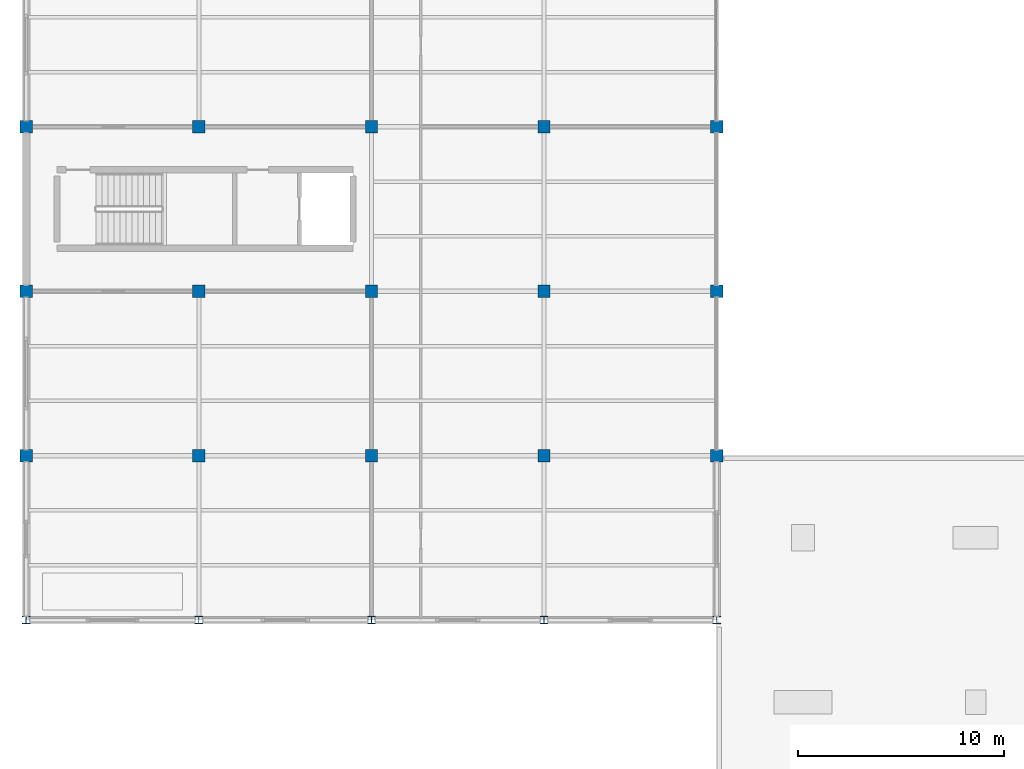
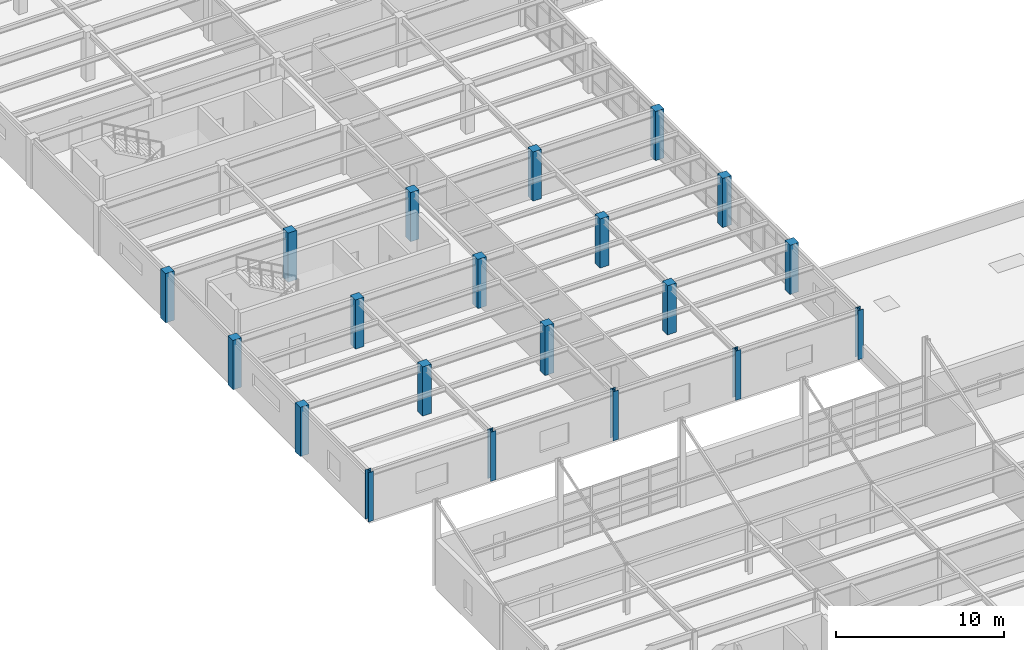
# One storey, part 3 of 96: 20 columns.
"""IFC4 building model written with IfcOpenShell, lengths in metres."""

from ifc_helpers import new_model, si_unit, direction, frame, origin, origin_2d, place, context, subcontext, project, spatial, rectangle, i_section, extrude, material, material_profile, profile_set, type_object, element, save


model = new_model("IFC4")

# Units and contexts
model_context = context("Model", 3, precision=1e-05, world=origin(), true_north=direction((0.0, 1.0)))
body_context = subcontext(model_context, "Body", "Model", "MODEL_VIEW")
ifc_project = project(units=[si_unit("LENGTHUNIT", "METRE"), si_unit("AREAUNIT", "SQUARE_METRE"), si_unit("VOLUMEUNIT", "CUBIC_METRE"), si_unit("PLANEANGLEUNIT", "RADIAN"), si_unit("MASSUNIT", "GRAM", prefix="KILO")], contexts=[model_context])

# Site, building, storey
site_placement = place(None, origin())
site = spatial("IfcSite", under=ifc_project, at=site_placement, CompositionType="ELEMENT")
building_placement = place(site_placement, origin())
building = spatial("IfcBuilding", under=site, at=building_placement, Name="Kranzveld Transit Interchange", CompositionType="ELEMENT")
storey_placement = place(building_placement, frame((0.0, 0.0, 9.52001953125)))
storey = spatial("IfcBuildingStorey", under=building, at=storey_placement, Name="L02", CompositionType="ELEMENT", Elevation=9.52001953125)

# Columns
ifc_material_1 = material(Name="Concrete C35/45", Category="concrete")
ifc_material_profile_1 = material_profile(ifc_material_1, rectangle(XDim=0.60009765625, YDim=0.60009765625, at=origin_2d()), Name="RC 600x600")
ifc_profile_set_1 = profile_set([ifc_material_profile_1], Name="Concrete C35/45")
column_type_1 = type_object("IfcColumnType", Name="Column RC 600x600 C35/45", PredefinedType="COLUMN", material=ifc_profile_set_1)
for number, where, z_axis, x_axis, name in (
    (1, (0.0, 56.0, 0.0), (0.0, 0.0, 1.0), (1.0, 0.0, 0.0), "L02 Column 01/H"),
    (2, (0.0, 64.0, 0.0), (0.0, 0.0, 1.0), (1.0, 0.0, 0.0), "L02 Column 01/J"),
    (3, (0.0, 72.0, 0.0), (0.0, 0.0, 1.0), (1.0, 0.0, 0.0), "L02 Column 01/K"),
    (4, (8.39990234375, 56.0, 0.0), (0.0, 0.0, 1.0), (1.0, 0.0, 0.0), "L02 Column 02/H"),
    (5, (8.39990234375, 64.0, 0.0), (0.0, 0.0, 1.0), (1.0, 0.0, 0.0), "L02 Column 02/J"),
    (6, (8.39990234375, 72.0, 0.0), (0.0, 0.0, 1.0), (1.0, 0.0, 0.0), "L02 Column 02/K"),
    (7, (16.800048828125, 56.0, 0.0), (0.0, 0.0, 1.0), (1.0, 0.0, 0.0), "L02 Column 03/H"),
    (8, (16.800048828125, 64.0, 0.0), (0.0, 0.0, 1.0), (1.0, 0.0, 0.0), "L02 Column 03/J"),
    (9, (16.800048828125, 72.0, 0.0), (0.0, 0.0, 1.0), (1.0, 0.0, 0.0), "L02 Column 03/K"),
    (10, (25.199951171875, 56.0, 0.0), (0.0, 0.0, 1.0), (1.0, 0.0, 0.0), "L02 Column 04/H"),
    (11, (25.199951171875, 64.0, 0.0), (0.0, 0.0, 1.0), (1.0, 0.0, 0.0), "L02 Column 04/J"),
    (12, (25.199951171875, 72.0, 0.0), (0.0, 0.0, 1.0), (1.0, 0.0, 0.0), "L02 Column 04/K"),
    (13, (33.60009765625, 56.0, 0.0), (0.0, 0.0, 1.0), (1.0, 0.0, 0.0), "L02 Column 05/H"),
    (14, (33.60009765625, 64.0, 0.0), (0.0, 0.0, 1.0), (1.0, 0.0, 0.0), "L02 Column 05/J"),
    (15, (33.60009765625, 72.0, 0.0), (0.0, 0.0, 1.0), (1.0, 0.0, 0.0), "L02 Column 05/K"),
):
    element("IfcColumn", number, at=place(storey_placement, frame(where, z_axis=z_axis, x_axis=x_axis)), inside=storey, type_object=column_type_1, Name=name, PredefinedType="COLUMN", context=body_context, shape_type="SweptSolid", body=[
        extrude(rectangle(XDim=0.60009765625, YDim=0.60009765625, at=origin_2d()), origin(), (0.0, 0.0, 1.0), 3.570068359375),
    ])
ifc_material_2 = material(Name="Steel S355JR", Category="steel")
ifc_material_profile_2 = material_profile(ifc_material_2, i_section(OverallWidth=0.374755859375, OverallDepth=0.37451171875, WebThickness=0.0166015625, FlangeThickness=0.027099609375, FilletRadius=0.01513671875, at=origin_2d()), Name="UC 356x368x202")
ifc_profile_set_2 = profile_set([ifc_material_profile_2], Name="Steel S355JR")
column_type_2 = type_object("IfcColumnType", Name="Column Steel UC 356x368x202 S355JR", PredefinedType="COLUMN", material=ifc_profile_set_2)
for number, where, z_axis, x_axis, name in (
    (16, (0.0, 48.0, 0.0), (0.0, 0.0, 1.0), (1.0, 0.0, 0.0), "L02 Column 01/G"),
    (17, (8.39990234375, 48.0, 0.0), (0.0, 0.0, 1.0), (1.0, 0.0, 0.0), "L02 Column 02/G"),
    (18, (16.800048828125, 48.0, 0.0), (0.0, 0.0, 1.0), (1.0, 0.0, 0.0), "L02 Column 03/G"),
    (19, (25.199951171875, 48.0, 0.0), (0.0, 0.0, 1.0), (1.0, 0.0, 0.0), "L02 Column 04/G"),
    (20, (33.60009765625, 48.0, 0.0), (0.0, 0.0, 1.0), (1.0, 0.0, 0.0), "L02 Column 05/G"),
):
    element("IfcColumn", number, at=place(storey_placement, frame(where, z_axis=z_axis, x_axis=x_axis)), inside=storey, type_object=column_type_2, Name=name, PredefinedType="COLUMN", context=body_context, shape_type="SweptSolid", body=[
        extrude(i_section(OverallWidth=0.374755859375, OverallDepth=0.37451171875, WebThickness=0.0166015625, FlangeThickness=0.027099609375, FilletRadius=0.01513671875, at=origin_2d()), origin(), (0.0, 0.0, 1.0), 3.570068359375),
    ])

save(model, "model.ifc")
